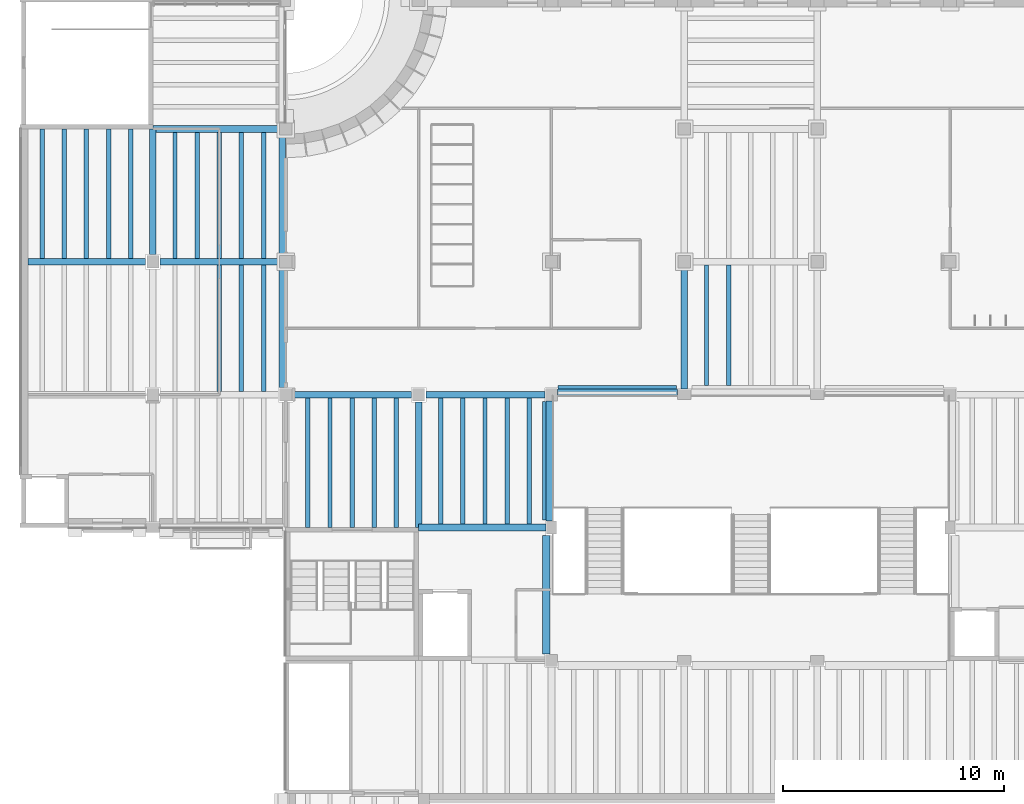
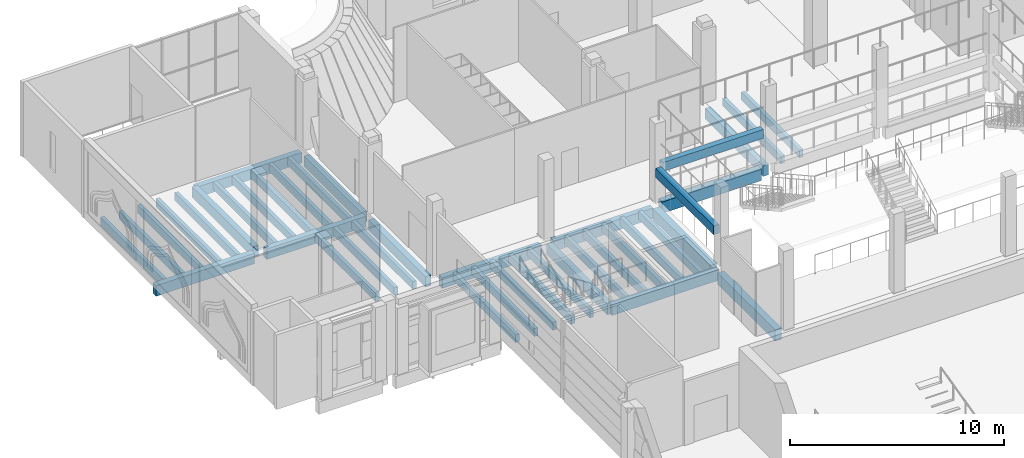
# One storey, part 13 of 70: 41 beams.
"""IFC4 building model written with IfcOpenShell, lengths in metres."""

from ifc_helpers import new_model, si_unit, direction, frame, origin, origin_2d, place, context, subcontext, project, spatial, rectangle, extrude, material, material_profile, profile_set, type_object, element, save


model = new_model("IFC4")

# Units and contexts
model_context = context("Model", 3, precision=1e-05, world=origin(), true_north=direction((0.0, 1.0)))
body_context = subcontext(model_context, "Body", "Model", "MODEL_VIEW")
ifc_project = project(units=[si_unit("LENGTHUNIT", "METRE"), si_unit("AREAUNIT", "SQUARE_METRE"), si_unit("VOLUMEUNIT", "CUBIC_METRE"), si_unit("PLANEANGLEUNIT", "RADIAN"), si_unit("MASSUNIT", "GRAM", prefix="KILO")], contexts=[model_context])

# Site, building, storey
site_placement = place(None, origin())
site = spatial("IfcSite", under=ifc_project, at=site_placement, CompositionType="ELEMENT")
building_placement = place(site_placement, origin())
building = spatial("IfcBuilding", under=site, at=building_placement, Name="Saffron Lane Theatres", CompositionType="ELEMENT")
storey_placement = place(building_placement, frame((0.0, 0.0, 12.0)))
storey = spatial("IfcBuildingStorey", under=building, at=storey_placement, Name="L02", CompositionType="ELEMENT", Elevation=12.0)

# Beams
ifc_material_1 = material(Name="Concrete N40 (40 MPa)", Category="concrete")
ifc_material_profile_1 = material_profile(ifc_material_1, rectangle(XDim=0.300048828125, YDim=0.60009765625, at=origin_2d()))
ifc_profile_set_1 = profile_set([ifc_material_profile_1], Name="Concrete N40 (40 MPa)")
beam_type_1 = type_object("IfcBeamType", Name="RC-BEAM 300x600", PredefinedType="BEAM", material=ifc_profile_set_1)
beam_1_placement = place(storey_placement, frame((18.0, 102.0, -0.550048828125), z_axis=(1.0, 0.0, 0.0), x_axis=(0.0, 1.0, 0.0)))
element("IfcBeam", 1, at=beam_1_placement, inside=storey, type_object=beam_type_1, Name="beam-L02-x1020-180", PredefinedType="BEAM", context=body_context, shape_type="SweptSolid", body=[
    extrude(rectangle(XDim=0.300048828125, YDim=0.60009765625, at=origin_2d()), origin(), (0.0, 0.0, 1.0), 5.75),
])
beam_2_placement = place(storey_placement, frame((12.324951171875, 108.0, -0.64990234375), z_axis=(1.0, 0.0, 0.0), x_axis=(0.0, 1.0, 0.0)))
element("IfcBeam", 2, at=beam_2_placement, inside=storey, type_object=beam_type_1, Name="beam-L02-x1080-123", PredefinedType="BEAM", context=body_context, shape_type="SweptSolid", body=[
    extrude(rectangle(XDim=0.300048828125, YDim=0.60009765625, at=origin_2d()), origin(), (0.0, 0.0, 1.0), 5.35009765625),
])
beam_3_placement = place(storey_placement, frame((18.324951171875, 108.0, -0.64990234375), z_axis=(1.0, 0.0, 0.0), x_axis=(0.0, 1.0, 0.0)))
element("IfcBeam", 3, at=beam_3_placement, inside=storey, type_object=beam_type_1, Name="beam-L02-x1080-183", PredefinedType="BEAM", context=body_context, shape_type="SweptSolid", body=[
    extrude(rectangle(XDim=0.300048828125, YDim=0.60009765625, at=origin_2d()), origin(), (0.0, 0.0, 1.0), 5.375),
])
beam_4_placement = place(storey_placement, frame((0.360107421875, 114.0, -0.550048828125), z_axis=(1.0, 0.0, 0.0), x_axis=(0.0, 1.0, 0.0)))
element("IfcBeam", 4, at=beam_4_placement, inside=storey, type_object=beam_type_1, Name="beam-L02-x1140-4", PredefinedType="BEAM", context=body_context, shape_type="SweptSolid", body=[
    extrude(rectangle(XDim=0.300048828125, YDim=0.60009765625, at=origin_2d()), origin(), (0.0, 0.0, 1.0), 5.31494140625),
])
beam_5_placement = place(storey_placement, frame((6.324951171875, 114.0, -0.550048828125), z_axis=(1.0, 0.0, 0.0), x_axis=(0.0, 1.0, 0.0)))
element("IfcBeam", 5, at=beam_5_placement, inside=storey, type_object=beam_type_1, Name="beam-L02-x1140-63", PredefinedType="BEAM", context=body_context, shape_type="SweptSolid", body=[
    extrude(rectangle(XDim=0.300048828125, YDim=0.60009765625, at=origin_2d()), origin(), (0.0, 0.0, 1.0), 5.35009765625),
])
for number, where, z_axis, x_axis, name in (
    (6, (6.0, 120.0, -0.550048828125), (1.0, 0.0, 0.0), (0.0, 1.0, 0.0), "beam-L02-x1200-60"),
    (7, (6.0, 114.324951171875, -0.550048828125), (0.0, 1.0, 0.0), (-1.0, 0.0, 0.0), "beam-L02-y60-1143"),
):
    element("IfcBeam", number, at=place(storey_placement, frame(where, z_axis=z_axis, x_axis=x_axis)), inside=storey, type_object=beam_type_1, Name=name, PredefinedType="BEAM", context=body_context, shape_type="SweptSolid", body=[
        extrude(rectangle(XDim=0.300048828125, YDim=0.60009765625, at=origin_2d()), origin(), (0.0, 0.0, 1.0), 5.675048828125),
    ])
for number, where, z_axis, x_axis, name in (
    (8, (11.85009765625, 108.324951171875, -0.64990234375), (0.0, 1.0, 0.0), (-1.0, 0.0, 0.0), "beam-L02-y120-1083"),
    (9, (11.85009765625, 114.324951171875, -0.64990234375), (0.0, 1.0, 0.0), (-1.0, 0.0, 0.0), "beam-L02-y120-1143"),
):
    element("IfcBeam", number, at=place(storey_placement, frame(where, z_axis=z_axis, x_axis=x_axis)), inside=storey, type_object=beam_type_1, Name=name, PredefinedType="BEAM", context=body_context, shape_type="SweptSolid", body=[
        extrude(rectangle(XDim=0.300048828125, YDim=0.60009765625, at=origin_2d()), origin(), (0.0, 0.0, 1.0), 5.35009765625),
    ])
beam_6_placement = place(storey_placement, frame((18.0, 102.0, -0.550048828125), z_axis=(0.0, 1.0, 0.0), x_axis=(-1.0, 0.0, 0.0)))
element("IfcBeam", 10, at=beam_6_placement, inside=storey, type_object=beam_type_1, Name="beam-L02-y180-1020", PredefinedType="BEAM", context=body_context, shape_type="SweptSolid", body=[
    extrude(rectangle(XDim=0.300048828125, YDim=0.60009765625, at=origin_2d()), origin(), (0.0, 0.0, 1.0), 5.675048828125),
])
beam_7_placement = place(storey_placement, frame((30.0, 108.25, -0.64990234375), z_axis=(0.0, 1.0, 0.0), x_axis=(-1.0, 0.0, 0.0)))
element("IfcBeam", 11, at=beam_7_placement, inside=storey, type_object=beam_type_1, Name="beam-L02-y300-1082", PredefinedType="BEAM", context=body_context, shape_type="SweptSolid", body=[
    extrude(rectangle(XDim=0.300048828125, YDim=0.60009765625, at=origin_2d()), origin(), (0.0, 0.0, 1.0), 5.425048828125),
])
ifc_material_2 = material(Name="Concrete N40 (40 MPa)", Category="concrete")
ifc_material_profile_2 = material_profile(ifc_material_2, rectangle(XDim=0.35009765625, YDim=0.64990234375, at=origin_2d()))
ifc_profile_set_2 = profile_set([ifc_material_profile_2], Name="Concrete N40 (40 MPa)")
beam_type_2 = type_object("IfcBeamType", Name="RC-BEAM 350x650", PredefinedType="BEAM", material=ifc_profile_set_2)
for number, where, z_axis, x_axis, name in (
    (12, (24.300048828125, 108.235107421875, -0.675048828125), (1.0, 0.0, 0.0), (0.0, 1.0, 0.0), "beam-L02-x1080-243"),
    (13, (23.764892578125, 96.300048828125, -0.574951171875), (0.0, 1.0, 0.0), (-1.0, 0.0, 0.0), "beam-L02-y240-963"),
    (14, (23.764892578125, 102.35009765625, -0.574951171875), (0.0, 1.0, 0.0), (-1.0, 0.0, 0.0), "beam-L02-y240-1024"),
):
    element("IfcBeam", number, at=place(storey_placement, frame(where, z_axis=z_axis, x_axis=x_axis)), inside=storey, type_object=beam_type_2, Name=name, PredefinedType="BEAM", context=body_context, shape_type="SweptSolid", body=[
        extrude(rectangle(XDim=0.35009765625, YDim=0.64990234375, at=origin_2d()), origin(), (0.0, 0.0, 1.0), 5.349853515625),
    ])
ifc_material_3 = material(Name="Concrete N40 (40 MPa)", Category="concrete")
ifc_material_profile_3 = material_profile(ifc_material_3, rectangle(XDim=0.199951171875, YDim=0.449951171875, at=origin_2d()))
ifc_profile_set_3 = profile_set([ifc_material_profile_3], Name="Concrete N40 (40 MPa)")
beam_type_3 = type_object("IfcBeamType", Name="RC-JOIST 200x450", PredefinedType="JOIST", material=ifc_profile_set_3)
for number, where, z_axis, x_axis, name in (
    (15, (1.0, 114.14990234375, -0.47509765625), (0.0, 1.0, 0.0), (-1.0, 0.0, 0.0), "joist-L02-y100-1142"),
    (16, (2.0, 114.14990234375, -0.47509765625), (0.0, 1.0, 0.0), (-1.0, 0.0, 0.0), "joist-L02-y200-1142"),
    (17, (3.0, 114.14990234375, -0.47509765625), (0.0, 1.0, 0.0), (-1.0, 0.0, 0.0), "joist-L02-y300-1142"),
    (18, (4.0, 114.14990234375, -0.47509765625), (0.0, 1.0, 0.0), (-1.0, 0.0, 0.0), "joist-L02-y400-1142"),
    (19, (5.0, 114.14990234375, -0.47509765625), (0.0, 1.0, 0.0), (-1.0, 0.0, 0.0), "joist-L02-y500-1142"),
):
    element("IfcBeam", number, at=place(storey_placement, frame(where, z_axis=z_axis, x_axis=x_axis)), inside=storey, type_object=beam_type_3, Name=name, PredefinedType="JOIST", context=body_context, shape_type="SweptSolid", body=[
        extrude(rectangle(XDim=0.199951171875, YDim=0.449951171875, at=origin_2d()), origin(), (0.0, 0.0, 1.0), 5.85009765625),
    ])
for number, where, z_axis, x_axis, name in (
    (20, (9.0, 108.14990234375, -0.47509765625), (0.0, 1.0, 0.0), (-1.0, 0.0, 0.0), "joist-L02-y900-1082"),
    (21, (10.0, 108.14990234375, -0.47509765625), (0.0, 1.0, 0.0), (-1.0, 0.0, 0.0), "joist-L02-y1000-1082"),
    (22, (11.0, 108.14990234375, -0.47509765625), (0.0, 1.0, 0.0), (-1.0, 0.0, 0.0), "joist-L02-y1100-1082"),
    (23, (7.0, 114.14990234375, -0.47509765625), (0.0, 1.0, 0.0), (-1.0, 0.0, 0.0), "joist-L02-y700-1142"),
    (24, (8.0, 114.14990234375, -0.47509765625), (0.0, 1.0, 0.0), (-1.0, 0.0, 0.0), "joist-L02-y800-1142"),
    (25, (9.0, 114.14990234375, -0.47509765625), (0.0, 1.0, 0.0), (-1.0, 0.0, 0.0), "joist-L02-y900-1142"),
    (26, (10.0, 114.14990234375, -0.47509765625), (0.0, 1.0, 0.0), (-1.0, 0.0, 0.0), "joist-L02-y1000-1142"),
    (27, (11.0, 114.14990234375, -0.47509765625), (0.0, 1.0, 0.0), (-1.0, 0.0, 0.0), "joist-L02-y1100-1142"),
):
    element("IfcBeam", number, at=place(storey_placement, frame(where, z_axis=z_axis, x_axis=x_axis)), inside=storey, type_object=beam_type_3, Name=name, PredefinedType="JOIST", context=body_context, shape_type="SweptSolid", body=[
        extrude(rectangle(XDim=0.199951171875, YDim=0.449951171875, at=origin_2d()), origin(), (0.0, 0.0, 1.0), 5.7001953125),
    ])
for number, where, z_axis, x_axis, name in (
    (28, (13.0, 102.0, -0.47509765625), (0.0, 1.0, 0.0), (-1.0, 0.0, 0.0), "joist-L02-y1300-1020"),
    (29, (14.0, 102.0, -0.47509765625), (0.0, 1.0, 0.0), (-1.0, 0.0, 0.0), "joist-L02-y1400-1020"),
    (30, (15.0, 102.0, -0.47509765625), (0.0, 1.0, 0.0), (-1.0, 0.0, 0.0), "joist-L02-y1500-1020"),
    (31, (16.0, 102.0, -0.47509765625), (0.0, 1.0, 0.0), (-1.0, 0.0, 0.0), "joist-L02-y1600-1020"),
    (32, (17.0, 102.0, -0.47509765625), (0.0, 1.0, 0.0), (-1.0, 0.0, 0.0), "joist-L02-y1700-1020"),
):
    element("IfcBeam", number, at=place(storey_placement, frame(where, z_axis=z_axis, x_axis=x_axis)), inside=storey, type_object=beam_type_3, Name=name, PredefinedType="JOIST", context=body_context, shape_type="SweptSolid", body=[
        extrude(rectangle(XDim=0.199951171875, YDim=0.449951171875, at=origin_2d()), origin(), (0.0, 0.0, 1.0), 5.85009765625),
    ])
for number, where, z_axis, x_axis, name in (
    (33, (19.0, 102.14990234375, -0.47509765625), (0.0, 1.0, 0.0), (-1.0, 0.0, 0.0), "joist-L02-y1900-1022"),
    (34, (20.0, 102.14990234375, -0.47509765625), (0.0, 1.0, 0.0), (-1.0, 0.0, 0.0), "joist-L02-y2000-1022"),
    (35, (21.0, 102.14990234375, -0.47509765625), (0.0, 1.0, 0.0), (-1.0, 0.0, 0.0), "joist-L02-y2100-1022"),
    (36, (22.0, 102.14990234375, -0.47509765625), (0.0, 1.0, 0.0), (-1.0, 0.0, 0.0), "joist-L02-y2200-1022"),
    (37, (23.0, 102.14990234375, -0.47509765625), (0.0, 1.0, 0.0), (-1.0, 0.0, 0.0), "joist-L02-y2300-1022"),
):
    element("IfcBeam", number, at=place(storey_placement, frame(where, z_axis=z_axis, x_axis=x_axis)), inside=storey, type_object=beam_type_3, Name=name, PredefinedType="JOIST", context=body_context, shape_type="SweptSolid", body=[
        extrude(rectangle(XDim=0.199951171875, YDim=0.449951171875, at=origin_2d()), origin(), (0.0, 0.0, 1.0), 5.7001953125),
    ])
for number, where, z_axis, x_axis, name in (
    (38, (31.0, 108.409912109375, -0.47509765625), (0.0, 1.0, 0.0), (-1.0, 0.0, 0.0), "joist-L02-y3100-1084"),
    (39, (32.0, 108.409912109375, -0.47509765625), (0.0, 1.0, 0.0), (-1.0, 0.0, 0.0), "joist-L02-y3200-1084"),
):
    element("IfcBeam", number, at=place(storey_placement, frame(where, z_axis=z_axis, x_axis=x_axis)), inside=storey, type_object=beam_type_3, Name=name, PredefinedType="JOIST", context=body_context, shape_type="SweptSolid", body=[
        extrude(rectangle(XDim=0.199951171875, YDim=0.449951171875, at=origin_2d()), origin(), (0.0, 0.0, 1.0), 5.440185546875),
    ])
ifc_material_4 = material(Name="Concrete N40 (40 MPa)", Category="concrete")
ifc_material_profile_4 = material_profile(ifc_material_4, rectangle(XDim=0.300048828125, YDim=0.5, at=origin_2d()))
ifc_profile_set_4 = profile_set([ifc_material_profile_4], Name="Concrete N40 (40 MPa)")
beam_type_4 = type_object("IfcBeamType", Name="VC-LANDING BEAM 300x500", PredefinedType="BEAM", material=ifc_profile_set_4)
for number, where, z_axis, x_axis, name in (
    (40, (23.89990234375, 102.300048828125, 1.716552734375), (0.0, 1.0, 0.0), (-1.0, 0.0, 0.0), "Landing beam 11"),
    (41, (24.27490234375, 108.10009765625, 1.716552734375), (1.0, 0.0, 0.0), (0.0, 1.0, 0.0), "Landing beam 13"),
):
    element("IfcBeam", number, at=place(storey_placement, frame(where, z_axis=z_axis, x_axis=x_axis)), inside=storey, type_object=beam_type_4, Name=name, PredefinedType="BEAM", context=body_context, shape_type="SweptSolid", body=[
        extrude(rectangle(XDim=0.300048828125, YDim=0.5, at=origin_2d()), origin(), (0.0, 0.0, 1.0), 5.425048828125),
    ])

save(model, "model.ifc")
